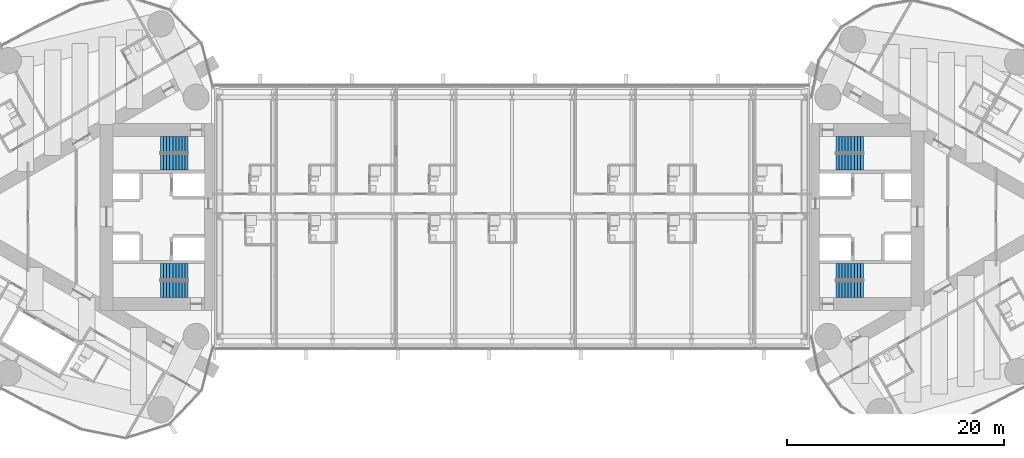
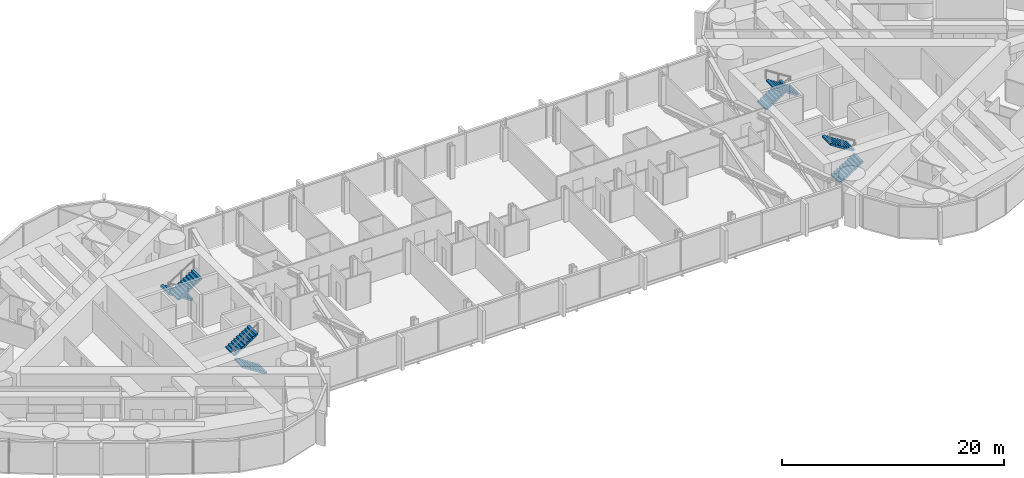
# One storey, part 20 of 22: 8 stair flights, 4 elements without a shape of their own.
"""IFC4 building model written with IfcOpenShell, lengths in metres."""

import ifcopenshell
import ifcopenshell.guid

model = None  # the IFC model being written
_history = None  # IfcOwnerHistory: only IFC2X3 demands one
_inside = {}  # id of a spatial element -> (the spatial element, [elements in it])
_under = {}  # id of a project, library or spatial element -> (it, [spatial elements below it])
_declared = {}  # id of a project -> (the project, [libraries it declares])
_typed = {}  # id of a type object -> (the type object, [elements of that type])
_made_of = {}  # id of a material, layer set ... -> (it, [elements and type objects made of it])


def new_model(schema):
    """Start an empty IFC model of exactly this schema.

    Asked for "IFC4X3", IfcOpenShell would pick the latest addendum, in which some entities
    have other attributes; the version numbers below select the first issue.
    IFC2X3 requires an IfcOwnerHistory on every rooted entity: one is made here for all.
    """
    global model, _history
    if schema == "IFC4X3":
        model = ifcopenshell.file(schema_version=(4, 3, 0, 0))
    else:
        model = ifcopenshell.file(schema=schema)
    _inside.clear()
    _under.clear()
    _declared.clear()
    _typed.clear()
    _made_of.clear()
    _history = None
    if model.schema == "IFC2X3":
        org = make("IfcOrganization", Name="unknown")
        user = make(
            "IfcPersonAndOrganization",
            ThePerson=make("IfcPerson", FamilyName="unknown"),
            TheOrganization=org,
        )
        app = make(
            "IfcApplication",
            ApplicationDeveloper=org,
            Version="unknown",
            ApplicationFullName="unknown",
            ApplicationIdentifier="unknown",
        )
        _history = make(
            "IfcOwnerHistory",
            OwningUser=user,
            OwningApplication=app,
            ChangeAction="ADDED",
            CreationDate=0,
        )
    return model


def make(cls, **values):
    """One entity of the class cls with the attributes given. An attribute that is None is left unset."""
    return model.create_entity(
        cls, **{name: value for name, value in values.items() if value is not None}
    )


def rooted(cls, **values):
    """An entity with a GlobalId (a new one), such as an element, a storey or a relation."""
    return make(cls, GlobalId=ifcopenshell.guid.new(), OwnerHistory=_history, **values)


def si_unit(unit_type, name, prefix=None):
    """IfcSIUnit, for example si_unit("LENGTHUNIT", "METRE", prefix="MILLI")."""
    return make("IfcSIUnit", UnitType=unit_type, Prefix=prefix, Name=name)


def assignment(units):
    """IfcUnitAssignment: the units of a project."""
    return None if units is None else make("IfcUnitAssignment", Units=units)


def point(xyz):
    """IfcCartesianPoint."""
    return None if xyz is None else make("IfcCartesianPoint", Coordinates=xyz)


def direction(xyz):
    """IfcDirection."""
    return None if xyz is None else make("IfcDirection", DirectionRatios=xyz)


def frame(location, z_axis=None, x_axis=None):
    """IfcAxis2Placement3D, a coordinate frame: its origin and axes. An axis left out is left unset."""
    return make(
        "IfcAxis2Placement3D",
        Location=point(location),
        Axis=direction(z_axis),
        RefDirection=direction(x_axis),
    )


def origin():
    """The frame at (0, 0, 0) with its axes left unset."""
    return frame((0.0, 0.0, 0.0))


def place(relative_to, where):
    """IfcLocalPlacement: puts the frame where relative to a parent placement (None: the world)."""
    return make(
        "IfcLocalPlacement", PlacementRelTo=relative_to, RelativePlacement=where
    )


def context(
    kind, dimensions, precision=None, world=None, true_north=None, identifier=None
):
    """IfcGeometricRepresentationContext, for example the 3D "Model" context."""
    return make(
        "IfcGeometricRepresentationContext",
        ContextIdentifier=identifier,
        ContextType=kind,
        CoordinateSpaceDimension=dimensions,
        Precision=precision,
        WorldCoordinateSystem=world,
        TrueNorth=true_north,
    )


def subcontext(parent, identifier, kind, view, scale=None):
    """IfcGeometricRepresentationSubContext, for example "Body" below "Model"."""
    return make(
        "IfcGeometricRepresentationSubContext",
        ContextIdentifier=identifier,
        ContextType=kind,
        ParentContext=parent,
        TargetScale=scale,
        TargetView=view,
    )


def project(units=None, contexts=None):
    """IfcProject with its units and contexts."""
    return rooted(
        "IfcProject",
        Name="project",
        RepresentationContexts=contexts,
        UnitsInContext=assignment(units),
    )


def spatial(cls, under=None, at=None, **own):
    """A site, building, storey or space (cls), placed at a placement, below another one or the project."""
    s = rooted(cls, ObjectPlacement=at, **own)
    if under is not None:
        _under.setdefault(under.id(), (under, []))[1].append(s)
    return s


def polyline(points):
    """IfcPolyline through the points."""
    return make("IfcPolyline", Points=[point(p) for p in points])


def outline(outer, holes=None, kind="AREA"):
    """IfcArbitraryClosedProfileDef: a profile drawn as a closed curve; with holes, ...WithVoids."""
    if holes is None:
        return make("IfcArbitraryClosedProfileDef", ProfileType=kind, OuterCurve=outer)
    return make(
        "IfcArbitraryProfileDefWithVoids",
        ProfileType=kind,
        OuterCurve=outer,
        InnerCurves=holes,
    )


def extrude(swept, where, along, depth):
    """IfcExtrudedAreaSolid: the profile swept, set in the frame where, extruded along a direction by depth."""
    return make(
        "IfcExtrudedAreaSolid",
        SweptArea=swept,
        Position=where,
        ExtrudedDirection=direction(along),
        Depth=depth,
    )


def shape(context_of_items, identifier, shape_type, items):
    """IfcShapeRepresentation: the items that make up one representation, for example the "Body"."""
    return make(
        "IfcShapeRepresentation",
        ContextOfItems=context_of_items,
        RepresentationIdentifier=identifier,
        RepresentationType=shape_type,
        Items=items,
    )


def material(Name=None, Category=None):
    """IfcMaterial."""
    return make("IfcMaterial", Name=Name, Category=Category)


def made_of(thing, what):
    """Note that an element or type object is made of a material, layer set ...; save() writes the relation."""
    if what is not None:
        _made_of.setdefault(what.id(), (what, []))[1].append(thing)
    return thing


def type_object(cls, material=None, **own):
    """A type object (cls), such as IfcWallType, which elements share."""
    return made_of(rooted(cls, **own), material)


def element(
    cls,
    number,
    at=None,
    inside=None,
    cuts=None,
    type_object=None,
    material=None,
    context=None,
    identifier="Body",
    shape_type=None,
    held_by="IfcProductDefinitionShape",
    body=None,
    shapes=None,
    **own,
):
    """One element of the class cls, such as IfcWall. Its Tag is "e" and its number.

    at: its placement. inside: the storey or other place that contains it. cuts: it is an
    opening in that element (IfcRelVoidsElement). A single representation is given by context,
    identifier, shape_type and body (its items); several are given by shapes. held_by: the class
    of the entity that holds the representations. save() writes the other relations.
    """
    e = rooted(cls, Tag="e%d" % number, ObjectPlacement=at, **own)
    if body is not None:
        shapes = [shape(context, identifier, shape_type, body)]
    if shapes is not None:
        e.Representation = make(held_by, Representations=shapes)
    if inside is not None:
        _inside.setdefault(inside.id(), (inside, []))[1].append(e)
    if cuts is not None:
        rooted(
            "IfcRelVoidsElement", RelatingBuildingElement=cuts, RelatedOpeningElement=e
        )
    if type_object is not None:
        _typed.setdefault(type_object.id(), (type_object, []))[1].append(e)
    return made_of(e, material)


def aggregate(whole, parts):
    """IfcRelAggregates: a whole, such as a stair, and the parts it consists of."""
    return rooted("IfcRelAggregates", RelatingObject=whole, RelatedObjects=parts)


def save(model, path):
    """Write the relations noted so far, then the file.

    IfcRelAggregates (storeys below a building ...), IfcRelContainedInSpatialStructure (elements
    in a storey), IfcRelDefinesByType, IfcRelAssociatesMaterial and IfcRelDeclares: one each for
    every whole, place, type object, material and project.
    """
    for whole, parts in _under.values():
        aggregate(whole, parts)
    for where, things in _inside.values():
        rooted(
            "IfcRelContainedInSpatialStructure",
            RelatedElements=things,
            RelatingStructure=where,
        )
    for kind, things in _typed.values():
        rooted("IfcRelDefinesByType", RelatedObjects=things, RelatingType=kind)
    for what, things in _made_of.values():
        rooted("IfcRelAssociatesMaterial", RelatedObjects=things, RelatingMaterial=what)
    for by, libraries in _declared.values():
        rooted("IfcRelDeclares", RelatingContext=by, RelatedDefinitions=libraries)
    model.write(path)


model = new_model("IFC4")

# Units and contexts
model_context = context("Model", 3, precision=1e-05, world=origin(), true_north=direction((0.0, 1.0)))
body_context = subcontext(model_context, "Body", "Model", "MODEL_VIEW")
ifc_project = project(units=[si_unit("LENGTHUNIT", "METRE"), si_unit("AREAUNIT", "SQUARE_METRE"), si_unit("VOLUMEUNIT", "CUBIC_METRE"), si_unit("PLANEANGLEUNIT", "RADIAN"), si_unit("MASSUNIT", "GRAM", prefix="KILO")], contexts=[model_context])

# Site, building, storey
site_placement = place(None, origin())
site = spatial("IfcSite", under=ifc_project, at=site_placement, CompositionType="ELEMENT")
building_placement = place(site_placement, origin())
building = spatial("IfcBuilding", under=site, at=building_placement, Name="Lancet Gate Hotel", CompositionType="ELEMENT")
storey_placement = place(building_placement, frame((0.0, 0.0, 229.699951171875)))
storey = spatial("IfcBuildingStorey", under=building, at=storey_placement, Name="L61", CompositionType="ELEMENT", Elevation=229.699951171875)

# Stair, stair flights
ifc_material_1 = material(Name="Exit stair 20 risers 1500")
stair_type = type_object("IfcStairType", Name="Exit stair 20 risers 1500", PredefinedType="HALF_TURN_STAIR", material=ifc_material_1)
stair_1_placement = place(storey_placement, origin())
stair_1 = element("IfcStair", 1, at=stair_1_placement, inside=storey, type_object=stair_type, Name="T1 stair 1 L61", PredefinedType="HALF_TURN_STAIR")
ifc_material_2 = material(Name="Stair flight 10 risers 180 rise 1500")
stair_flight_type = type_object("IfcStairFlightType", Name="Stair flight 10 risers 180 rise 1500", PredefinedType="STRAIGHT", material=ifc_material_2)
stair_flight_1_placement = place(storey_placement, frame((-29.800048828125, 6.64990234375, 0.0), z_axis=(0.0, 0.0, 1.0), x_axis=(-1.0, 0.0, 0.0)))
stair_flight_1 = element("IfcStairFlight", 2, at=stair_flight_1_placement, type_object=stair_flight_type, Name="ST1 flight 1", NumberOfRisers=10, NumberOfTreads=9, PredefinedType="STRAIGHT", RiserHeight=0.18, TreadLength=0.28, context=body_context, shape_type="SweptSolid", body=[
    extrude(outline(polyline([(0.0, 0.0), (0.0, 0.179931640625), (0.280029296875, 0.179931640625), (0.280029296875, 0.360107421875), (0.56005859375, 0.360107421875), (0.56005859375, 0.5400390625), (0.840087890625, 0.5400390625), (0.840087890625, 0.719970703125), (1.1201171875, 0.719970703125), (1.1201171875, 0.89990234375), (1.39990234375, 0.89990234375), (1.39990234375, 1.080078125), (1.679931640625, 1.080078125), (1.679931640625, 1.260009765625), (1.9599609375, 1.260009765625), (1.9599609375, 1.43994140625), (2.239990234375, 1.43994140625), (2.239990234375, 1.6201171875), (2.52001953125, 1.6201171875), (2.52001953125, 1.800048828125), (2.52001953125, 1.44189453125), (0.277099609375, 0.0), (0.0, 0.0)])), frame((0.0, 0.75, 0.0), z_axis=(0.0, -1.0, 0.0), x_axis=(1.0, 0.0, 0.0)), (0.0, 0.0, 1.0), 1.5),
])
stair_flight_2_placement = place(storey_placement, frame((-32.320068359375, 5.050048828125, 1.800048828125), z_axis=(0.0, 0.0, 1.0), x_axis=(1.0, 0.0, 0.0)))
stair_flight_2 = element("IfcStairFlight", 3, at=stair_flight_2_placement, type_object=stair_flight_type, Name="ST1 flight 2", NumberOfRisers=10, NumberOfTreads=9, PredefinedType="STRAIGHT", RiserHeight=0.18, TreadLength=0.28, context=body_context, shape_type="SweptSolid", body=[
    extrude(outline(polyline([(0.0, 0.0), (0.0, 0.179931640625), (0.280029296875, 0.179931640625), (0.280029296875, 0.360107421875), (0.56005859375, 0.360107421875), (0.56005859375, 0.5400390625), (0.840087890625, 0.5400390625), (0.840087890625, 0.719970703125), (1.1201171875, 0.719970703125), (1.1201171875, 0.89990234375), (1.39990234375, 0.89990234375), (1.39990234375, 1.080078125), (1.679931640625, 1.080078125), (1.679931640625, 1.260009765625), (1.9599609375, 1.260009765625), (1.9599609375, 1.43994140625), (2.239990234375, 1.43994140625), (2.239990234375, 1.6201171875), (2.52001953125, 1.6201171875), (2.52001953125, 1.800048828125), (2.52001953125, 1.44189453125), (0.277099609375, 0.0), (0.0, 0.0)])), frame((0.0, 0.75, 0.0), z_axis=(0.0, -1.0, 0.0), x_axis=(1.0, 0.0, 0.0)), (0.0, 0.0, 1.0), 1.5),
])
aggregate(stair_1, [stair_flight_1, stair_flight_2])

stair_2_placement = place(storey_placement, origin())
stair_2 = element("IfcStair", 4, at=stair_2_placement, inside=storey, type_object=stair_type, Name="T1 stair 2 L61", PredefinedType="HALF_TURN_STAIR")
stair_flight_3_placement = place(storey_placement, frame((-29.800048828125, -6.64990234375, 0.0), z_axis=(0.0, 0.0, 1.0), x_axis=(-1.0, 0.0, 0.0)))
stair_flight_3 = element("IfcStairFlight", 5, at=stair_flight_3_placement, type_object=stair_flight_type, Name="ST2 flight 1", NumberOfRisers=10, NumberOfTreads=9, PredefinedType="STRAIGHT", RiserHeight=0.18, TreadLength=0.28, context=body_context, shape_type="SweptSolid", body=[
    extrude(outline(polyline([(0.0, 0.0), (0.0, 0.179931640625), (0.280029296875, 0.179931640625), (0.280029296875, 0.360107421875), (0.56005859375, 0.360107421875), (0.56005859375, 0.5400390625), (0.840087890625, 0.5400390625), (0.840087890625, 0.719970703125), (1.1201171875, 0.719970703125), (1.1201171875, 0.89990234375), (1.39990234375, 0.89990234375), (1.39990234375, 1.080078125), (1.679931640625, 1.080078125), (1.679931640625, 1.260009765625), (1.9599609375, 1.260009765625), (1.9599609375, 1.43994140625), (2.239990234375, 1.43994140625), (2.239990234375, 1.6201171875), (2.52001953125, 1.6201171875), (2.52001953125, 1.800048828125), (2.52001953125, 1.44189453125), (0.277099609375, 0.0), (0.0, 0.0)])), frame((0.0, 0.75, 0.0), z_axis=(0.0, -1.0, 0.0), x_axis=(1.0, 0.0, 0.0)), (0.0, 0.0, 1.0), 1.5),
])
stair_flight_4_placement = place(storey_placement, frame((-32.320068359375, -5.050048828125, 1.800048828125), z_axis=(0.0, 0.0, 1.0), x_axis=(1.0, 0.0, 0.0)))
stair_flight_4 = element("IfcStairFlight", 6, at=stair_flight_4_placement, type_object=stair_flight_type, Name="ST2 flight 2", NumberOfRisers=10, NumberOfTreads=9, PredefinedType="STRAIGHT", RiserHeight=0.18, TreadLength=0.28, context=body_context, shape_type="SweptSolid", body=[
    extrude(outline(polyline([(0.0, 0.0), (0.0, 0.179931640625), (0.280029296875, 0.179931640625), (0.280029296875, 0.360107421875), (0.56005859375, 0.360107421875), (0.56005859375, 0.5400390625), (0.840087890625, 0.5400390625), (0.840087890625, 0.719970703125), (1.1201171875, 0.719970703125), (1.1201171875, 0.89990234375), (1.39990234375, 0.89990234375), (1.39990234375, 1.080078125), (1.679931640625, 1.080078125), (1.679931640625, 1.260009765625), (1.9599609375, 1.260009765625), (1.9599609375, 1.43994140625), (2.239990234375, 1.43994140625), (2.239990234375, 1.6201171875), (2.52001953125, 1.6201171875), (2.52001953125, 1.800048828125), (2.52001953125, 1.44189453125), (0.277099609375, 0.0), (0.0, 0.0)])), frame((0.0, 0.75, 0.0), z_axis=(0.0, -1.0, 0.0), x_axis=(1.0, 0.0, 0.0)), (0.0, 0.0, 1.0), 1.5),
])
aggregate(stair_2, [stair_flight_3, stair_flight_4])

stair_3_placement = place(storey_placement, origin())
stair_3 = element("IfcStair", 7, at=stair_3_placement, inside=storey, type_object=stair_type, Name="T2 stair 1 L61", PredefinedType="HALF_TURN_STAIR")
stair_flight_5_placement = place(storey_placement, frame((29.800048828125, -6.64990234375, 0.0), z_axis=(0.0, 0.0, 1.0), x_axis=(1.0, 0.0, 0.0)))
stair_flight_5 = element("IfcStairFlight", 8, at=stair_flight_5_placement, type_object=stair_flight_type, Name="ST3 flight 1", NumberOfRisers=10, NumberOfTreads=9, PredefinedType="STRAIGHT", RiserHeight=0.18, TreadLength=0.28, context=body_context, shape_type="SweptSolid", body=[
    extrude(outline(polyline([(0.0, 0.0), (0.0, 0.179931640625), (0.280029296875, 0.179931640625), (0.280029296875, 0.360107421875), (0.56005859375, 0.360107421875), (0.56005859375, 0.5400390625), (0.840087890625, 0.5400390625), (0.840087890625, 0.719970703125), (1.1201171875, 0.719970703125), (1.1201171875, 0.89990234375), (1.39990234375, 0.89990234375), (1.39990234375, 1.080078125), (1.679931640625, 1.080078125), (1.679931640625, 1.260009765625), (1.9599609375, 1.260009765625), (1.9599609375, 1.43994140625), (2.239990234375, 1.43994140625), (2.239990234375, 1.6201171875), (2.52001953125, 1.6201171875), (2.52001953125, 1.800048828125), (2.52001953125, 1.44189453125), (0.277099609375, 0.0), (0.0, 0.0)])), frame((0.0, 0.75, 0.0), z_axis=(0.0, -1.0, 0.0), x_axis=(1.0, 0.0, 0.0)), (0.0, 0.0, 1.0), 1.5),
])
stair_flight_6_placement = place(storey_placement, frame((32.320068359375, -5.050048828125, 1.800048828125), z_axis=(0.0, 0.0, 1.0), x_axis=(-1.0, 0.0, 0.0)))
stair_flight_6 = element("IfcStairFlight", 9, at=stair_flight_6_placement, type_object=stair_flight_type, Name="ST3 flight 2", NumberOfRisers=10, NumberOfTreads=9, PredefinedType="STRAIGHT", RiserHeight=0.18, TreadLength=0.28, context=body_context, shape_type="SweptSolid", body=[
    extrude(outline(polyline([(0.0, 0.0), (0.0, 0.179931640625), (0.280029296875, 0.179931640625), (0.280029296875, 0.360107421875), (0.56005859375, 0.360107421875), (0.56005859375, 0.5400390625), (0.840087890625, 0.5400390625), (0.840087890625, 0.719970703125), (1.1201171875, 0.719970703125), (1.1201171875, 0.89990234375), (1.39990234375, 0.89990234375), (1.39990234375, 1.080078125), (1.679931640625, 1.080078125), (1.679931640625, 1.260009765625), (1.9599609375, 1.260009765625), (1.9599609375, 1.43994140625), (2.239990234375, 1.43994140625), (2.239990234375, 1.6201171875), (2.52001953125, 1.6201171875), (2.52001953125, 1.800048828125), (2.52001953125, 1.44189453125), (0.277099609375, 0.0), (0.0, 0.0)])), frame((0.0, 0.75, 0.0), z_axis=(0.0, -1.0, 0.0), x_axis=(1.0, 0.0, 0.0)), (0.0, 0.0, 1.0), 1.5),
])
aggregate(stair_3, [stair_flight_5, stair_flight_6])

stair_4_placement = place(storey_placement, origin())
stair_4 = element("IfcStair", 10, at=stair_4_placement, inside=storey, type_object=stair_type, Name="T2 stair 2 L61", PredefinedType="HALF_TURN_STAIR")
stair_flight_7_placement = place(storey_placement, frame((29.800048828125, 6.64990234375, 0.0), z_axis=(0.0, 0.0, 1.0), x_axis=(1.0, 0.0, 0.0)))
stair_flight_7 = element("IfcStairFlight", 11, at=stair_flight_7_placement, type_object=stair_flight_type, Name="ST4 flight 1", NumberOfRisers=10, NumberOfTreads=9, PredefinedType="STRAIGHT", RiserHeight=0.18, TreadLength=0.28, context=body_context, shape_type="SweptSolid", body=[
    extrude(outline(polyline([(0.0, 0.0), (0.0, 0.179931640625), (0.280029296875, 0.179931640625), (0.280029296875, 0.360107421875), (0.56005859375, 0.360107421875), (0.56005859375, 0.5400390625), (0.840087890625, 0.5400390625), (0.840087890625, 0.719970703125), (1.1201171875, 0.719970703125), (1.1201171875, 0.89990234375), (1.39990234375, 0.89990234375), (1.39990234375, 1.080078125), (1.679931640625, 1.080078125), (1.679931640625, 1.260009765625), (1.9599609375, 1.260009765625), (1.9599609375, 1.43994140625), (2.239990234375, 1.43994140625), (2.239990234375, 1.6201171875), (2.52001953125, 1.6201171875), (2.52001953125, 1.800048828125), (2.52001953125, 1.44189453125), (0.277099609375, 0.0), (0.0, 0.0)])), frame((0.0, 0.75, 0.0), z_axis=(0.0, -1.0, 0.0), x_axis=(1.0, 0.0, 0.0)), (0.0, 0.0, 1.0), 1.5),
])
stair_flight_8_placement = place(storey_placement, frame((32.320068359375, 5.050048828125, 1.800048828125), z_axis=(0.0, 0.0, 1.0), x_axis=(-1.0, 0.0, 0.0)))
stair_flight_8 = element("IfcStairFlight", 12, at=stair_flight_8_placement, type_object=stair_flight_type, Name="ST4 flight 2", NumberOfRisers=10, NumberOfTreads=9, PredefinedType="STRAIGHT", RiserHeight=0.18, TreadLength=0.28, context=body_context, shape_type="SweptSolid", body=[
    extrude(outline(polyline([(0.0, 0.0), (0.0, 0.179931640625), (0.280029296875, 0.179931640625), (0.280029296875, 0.360107421875), (0.56005859375, 0.360107421875), (0.56005859375, 0.5400390625), (0.840087890625, 0.5400390625), (0.840087890625, 0.719970703125), (1.1201171875, 0.719970703125), (1.1201171875, 0.89990234375), (1.39990234375, 0.89990234375), (1.39990234375, 1.080078125), (1.679931640625, 1.080078125), (1.679931640625, 1.260009765625), (1.9599609375, 1.260009765625), (1.9599609375, 1.43994140625), (2.239990234375, 1.43994140625), (2.239990234375, 1.6201171875), (2.52001953125, 1.6201171875), (2.52001953125, 1.800048828125), (2.52001953125, 1.44189453125), (0.277099609375, 0.0), (0.0, 0.0)])), frame((0.0, 0.75, 0.0), z_axis=(0.0, -1.0, 0.0), x_axis=(1.0, 0.0, 0.0)), (0.0, 0.0, 1.0), 1.5),
])
aggregate(stair_4, [stair_flight_7, stair_flight_8])

save(model, "model.ifc")
